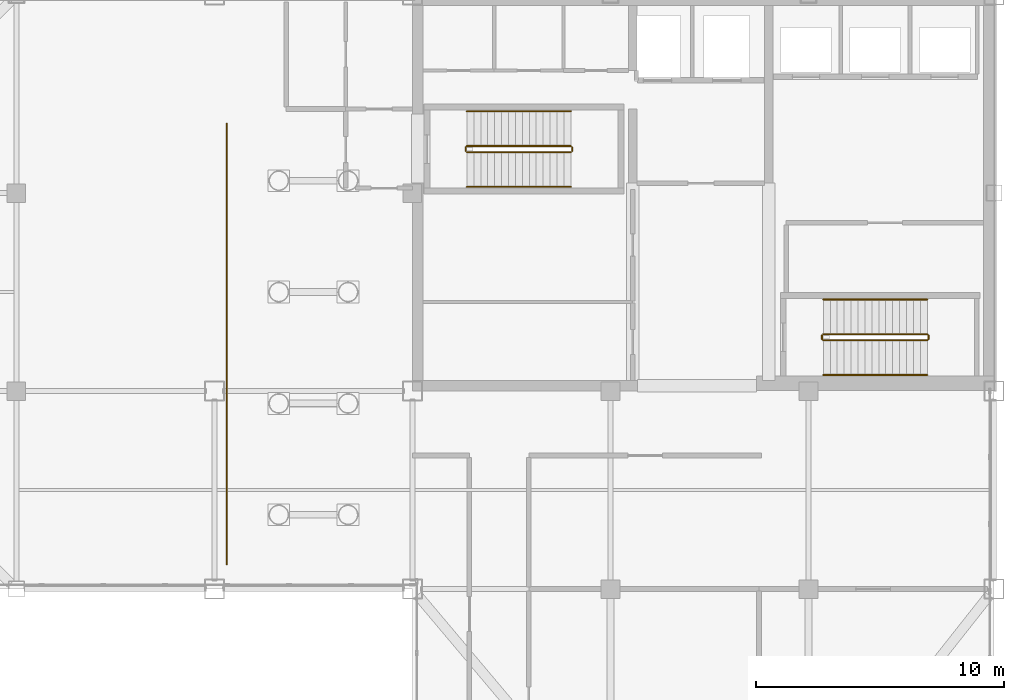
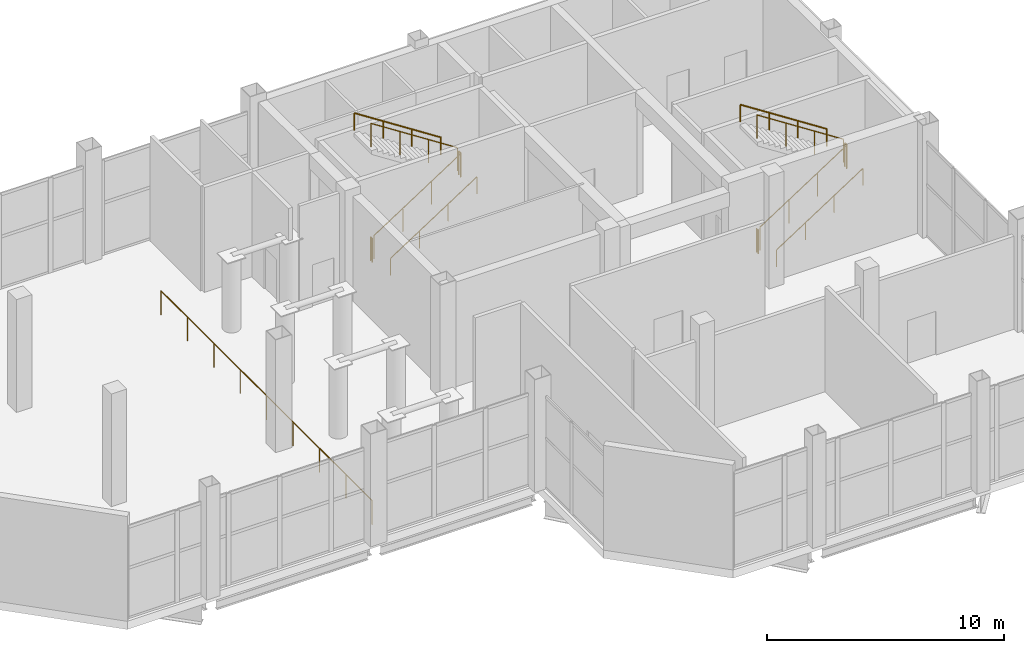
# One storey, part 17 of 18: 13 railings.
"""IFC4 building model written with IfcOpenShell, lengths in metres."""

from ifc_helpers import new_model, si_unit, direction, frame, origin, origin_2d, place, context, subcontext, project, spatial, circle, extrude, material, type_object, element, save


model = new_model("IFC4")

# Units and contexts
model_context = context("Model", 3, precision=1e-05, world=origin(), true_north=direction((0.0, 1.0)))
body_context = subcontext(model_context, "Body", "Model", "MODEL_VIEW")
ifc_project = project(units=[si_unit("LENGTHUNIT", "METRE"), si_unit("AREAUNIT", "SQUARE_METRE"), si_unit("VOLUMEUNIT", "CUBIC_METRE"), si_unit("PLANEANGLEUNIT", "RADIAN"), si_unit("MASSUNIT", "GRAM", prefix="KILO")], contexts=[model_context])

# Site, building, storey
site_placement = place(None, origin())
site = spatial("IfcSite", under=ifc_project, at=site_placement, CompositionType="ELEMENT")
building_placement = place(site_placement, origin())
building = spatial("IfcBuilding", under=site, at=building_placement, Name="Qianrong Seaharbour Tower", CompositionType="ELEMENT")
storey_placement = place(building_placement, frame((0.0, 0.0, 367.199951171875)))
storey = spatial("IfcBuildingStorey", under=building, at=storey_placement, Name="L89", CompositionType="ELEMENT", Elevation=367.199951171875)

# Railings
ifc_material_1 = material(Name="Galvanized painted steel SN400B stair guard", Category="steel")
railing_type_1 = type_object("IfcRailingType", Name="RAIL-STAIR-GUARD-1220", PredefinedType="GUARDRAIL", material=ifc_material_1)
railing_1_placement = place(storey_placement, frame((42.699951171875, 45.64990234375, 0.181396484375)))
element("IfcRailing", 1, at=railing_1_placement, inside=storey, type_object=railing_type_1, Name="L89 ST-1 stair guard 1", PredefinedType="GUARDRAIL", context=body_context, shape_type="SweptSolid", body=[
    extrude(circle(Radius=0.02392578125, at=origin_2d()), frame((0.0, 0.0, 1.19580078125), z_axis=(0.839466714631, 0.0, 0.543411110511), x_axis=(0.0, 1.0, 0.0)), (0.0, 0.0, 1.0), 5.003173828125),
    extrude(circle(Radius=0.02099609375, at=origin_2d()), origin(), (0.0, 0.0, 1.0), 1.171875),
    extrude(circle(Radius=0.02099609375, at=origin_2d()), frame((1.39990234375, 0.0, 0.90625)), (0.0, 0.0, 1.0), 1.171875),
    extrude(circle(Radius=0.02099609375, at=origin_2d()), frame((2.800048828125, 0.0, 1.8125)), (0.0, 0.0, 1.0), 1.171875),
    extrude(circle(Radius=0.02099609375, at=origin_2d()), frame((4.199951171875, 0.0, 2.71875)), (0.0, 0.0, 1.0), 1.171875),
])
railing_2_placement = place(storey_placement, frame((46.949951171875, 45.699951171875, 2.900146484375)))
element("IfcRailing", 2, at=railing_2_placement, inside=storey, type_object=railing_type_1, Name="L89 ST-1 stair guard 2", PredefinedType="GUARDRAIL", context=body_context, shape_type="SweptSolid", body=[
    extrude(circle(Radius=0.02392578125, at=origin_2d()), frame((0.0, 0.0, 1.19580078125), z_axis=(0.0, 1.0, 0.0), x_axis=(-1.0, 0.0, 0.0)), (0.0, 0.0, 1.0), 0.150146484375),
    extrude(circle(Radius=0.02099609375, at=origin_2d()), origin(), (0.0, 0.0, 1.0), 1.171875),
    extrude(circle(Radius=0.02099609375, at=origin_2d()), frame((0.0, 0.150146484375, 0.0)), (0.0, 0.0, 1.0), 1.171875),
])
railing_3_placement = place(storey_placement, frame((46.89990234375, 45.89990234375, 3.081298828125)))
element("IfcRailing", 3, at=railing_3_placement, inside=storey, type_object=railing_type_1, Name="L89 ST-1 stair guard 3", PredefinedType="GUARDRAIL", context=body_context, shape_type="SweptSolid", body=[
    extrude(circle(Radius=0.02392578125, at=origin_2d()), frame((0.0, 0.0, 1.19580078125), z_axis=(-0.839466714631, 0.0, 0.543411110511), x_axis=(0.0, -1.0, 0.0)), (0.0, 0.0, 1.0), 5.003173828125),
    extrude(circle(Radius=0.02099609375, at=origin_2d()), origin(), (0.0, 0.0, 1.0), 1.171875),
    extrude(circle(Radius=0.02099609375, at=origin_2d()), frame((-1.39990234375, 0.0, 0.90625)), (0.0, 0.0, 1.0), 1.171875),
    extrude(circle(Radius=0.02099609375, at=origin_2d()), frame((-2.800048828125, 0.0, 1.8125)), (0.0, 0.0, 1.0), 1.171875),
    extrude(circle(Radius=0.02099609375, at=origin_2d()), frame((-4.199951171875, 0.0, 2.71875)), (0.0, 0.0, 1.0), 1.171875),
])
railing_4_placement = place(storey_placement, frame((42.64990234375, 45.699951171875, 0.0)))
element("IfcRailing", 4, at=railing_4_placement, inside=storey, type_object=railing_type_1, Name="L89 ST-1 stair guard 4", PredefinedType="GUARDRAIL", context=body_context, shape_type="SweptSolid", body=[
    extrude(circle(Radius=0.02392578125, at=origin_2d()), frame((0.0, 0.0, 1.19580078125), z_axis=(0.0, 1.0, 0.0), x_axis=(-1.0, 0.0, 0.0)), (0.0, 0.0, 1.0), 0.150146484375),
    extrude(circle(Radius=0.02099609375, at=origin_2d()), origin(), (0.0, 0.0, 1.0), 1.171875),
    extrude(circle(Radius=0.02099609375, at=origin_2d()), frame((0.0, 0.150146484375, 0.0)), (0.0, 0.0, 1.0), 1.171875),
])
railing_5_placement = place(storey_placement, frame((57.10009765625, 38.050048828125, 0.181396484375)))
element("IfcRailing", 5, at=railing_5_placement, inside=storey, type_object=railing_type_1, Name="L89 ST-2 stair guard 1", PredefinedType="GUARDRAIL", context=body_context, shape_type="SweptSolid", body=[
    extrude(circle(Radius=0.02392578125, at=origin_2d()), frame((0.0, 0.0, 1.19580078125), z_axis=(0.839466714631, 0.0, 0.543411110511), x_axis=(0.0, 1.0, 0.0)), (0.0, 0.0, 1.0), 5.003173828125),
    extrude(circle(Radius=0.02099609375, at=origin_2d()), origin(), (0.0, 0.0, 1.0), 1.171875),
    extrude(circle(Radius=0.02099609375, at=origin_2d()), frame((1.39990234375, 0.0, 0.90625)), (0.0, 0.0, 1.0), 1.171875),
    extrude(circle(Radius=0.02099609375, at=origin_2d()), frame((2.800048828125, 0.0, 1.8125)), (0.0, 0.0, 1.0), 1.171875),
    extrude(circle(Radius=0.02099609375, at=origin_2d()), frame((4.199951171875, 0.0, 2.71875)), (0.0, 0.0, 1.0), 1.171875),
])
railing_6_placement = place(storey_placement, frame((61.35009765625, 38.10009765625, 2.900146484375)))
element("IfcRailing", 6, at=railing_6_placement, inside=storey, type_object=railing_type_1, Name="L89 ST-2 stair guard 2", PredefinedType="GUARDRAIL", context=body_context, shape_type="SweptSolid", body=[
    extrude(circle(Radius=0.02392578125, at=origin_2d()), frame((0.0, 0.0, 1.19580078125), z_axis=(0.0, 1.0, 0.0), x_axis=(-1.0, 0.0, 0.0)), (0.0, 0.0, 1.0), 0.14990234375),
    extrude(circle(Radius=0.02099609375, at=origin_2d()), origin(), (0.0, 0.0, 1.0), 1.171875),
    extrude(circle(Radius=0.02099609375, at=origin_2d()), frame((0.0, 0.14990234375, 0.0)), (0.0, 0.0, 1.0), 1.171875),
])
railing_7_placement = place(storey_placement, frame((61.300048828125, 38.300048828125, 3.081298828125)))
element("IfcRailing", 7, at=railing_7_placement, inside=storey, type_object=railing_type_1, Name="L89 ST-2 stair guard 3", PredefinedType="GUARDRAIL", context=body_context, shape_type="SweptSolid", body=[
    extrude(circle(Radius=0.02392578125, at=origin_2d()), frame((0.0, 0.0, 1.19580078125), z_axis=(-0.839466714631, 0.0, 0.543411110511), x_axis=(0.0, -1.0, 0.0)), (0.0, 0.0, 1.0), 5.003173828125),
    extrude(circle(Radius=0.02099609375, at=origin_2d()), origin(), (0.0, 0.0, 1.0), 1.171875),
    extrude(circle(Radius=0.02099609375, at=origin_2d()), frame((-1.39990234375, 0.0, 0.90625)), (0.0, 0.0, 1.0), 1.171875),
    extrude(circle(Radius=0.02099609375, at=origin_2d()), frame((-2.800048828125, 0.0, 1.8125)), (0.0, 0.0, 1.0), 1.171875),
    extrude(circle(Radius=0.02099609375, at=origin_2d()), frame((-4.199951171875, 0.0, 2.71875)), (0.0, 0.0, 1.0), 1.171875),
])
railing_8_placement = place(storey_placement, frame((57.050048828125, 38.10009765625, 0.0)))
element("IfcRailing", 8, at=railing_8_placement, inside=storey, type_object=railing_type_1, Name="L89 ST-2 stair guard 4", PredefinedType="GUARDRAIL", context=body_context, shape_type="SweptSolid", body=[
    extrude(circle(Radius=0.02392578125, at=origin_2d()), frame((0.0, 0.0, 1.19580078125), z_axis=(0.0, 1.0, 0.0), x_axis=(-1.0, 0.0, 0.0)), (0.0, 0.0, 1.0), 0.14990234375),
    extrude(circle(Radius=0.02099609375, at=origin_2d()), origin(), (0.0, 0.0, 1.0), 1.171875),
    extrude(circle(Radius=0.02099609375, at=origin_2d()), frame((0.0, 0.14990234375, 0.0)), (0.0, 0.0, 1.0), 1.171875),
])
ifc_material_2 = material(Name="Stainless steel SUS316L continuous handrail", Category="steel")
railing_type_2 = type_object("IfcRailingType", Name="RAIL-STAIR-HANDRAIL-900", PredefinedType="HANDRAIL", material=ifc_material_2)
railing_9_placement = place(storey_placement, frame((42.699951171875, 44.25, 0.181396484375)))
element("IfcRailing", 9, at=railing_9_placement, inside=storey, type_object=railing_type_2, Name="L89 ST-1 stair handrail 1", PredefinedType="HANDRAIL", context=body_context, shape_type="SweptSolid", body=[
    extrude(circle(Radius=0.02392578125, at=origin_2d()), frame((0.0, 0.0, 0.8759765625), z_axis=(0.839466714631, 0.0, 0.543411110511), x_axis=(0.0, 1.0, 0.0)), (0.0, 0.0, 1.0), 5.003173828125),
    extrude(circle(Radius=0.02099609375, at=origin_2d()), origin(), (0.0, 0.0, 1.0), 0.851806640625),
    extrude(circle(Radius=0.02099609375, at=origin_2d()), frame((1.39990234375, 0.0, 0.90625)), (0.0, 0.0, 1.0), 0.851806640625),
    extrude(circle(Radius=0.02099609375, at=origin_2d()), frame((2.800048828125, 0.0, 1.8125)), (0.0, 0.0, 1.0), 0.851806640625),
    extrude(circle(Radius=0.02099609375, at=origin_2d()), frame((4.199951171875, 0.0, 2.71875)), (0.0, 0.0, 1.0), 0.851806640625),
])
railing_10_placement = place(storey_placement, frame((46.89990234375, 47.300048828125, 3.081298828125)))
element("IfcRailing", 10, at=railing_10_placement, inside=storey, type_object=railing_type_2, Name="L89 ST-1 stair handrail 2", PredefinedType="HANDRAIL", context=body_context, shape_type="SweptSolid", body=[
    extrude(circle(Radius=0.02392578125, at=origin_2d()), frame((0.0, 0.0, 0.8759765625), z_axis=(-0.839466714631, 0.0, 0.543411110511), x_axis=(0.0, -1.0, 0.0)), (0.0, 0.0, 1.0), 5.003173828125),
    extrude(circle(Radius=0.02099609375, at=origin_2d()), origin(), (0.0, 0.0, 1.0), 0.851806640625),
    extrude(circle(Radius=0.02099609375, at=origin_2d()), frame((-1.39990234375, 0.0, 0.90625)), (0.0, 0.0, 1.0), 0.851806640625),
    extrude(circle(Radius=0.02099609375, at=origin_2d()), frame((-2.800048828125, 0.0, 1.8125)), (0.0, 0.0, 1.0), 0.851806640625),
    extrude(circle(Radius=0.02099609375, at=origin_2d()), frame((-4.199951171875, 0.0, 2.71875)), (0.0, 0.0, 1.0), 0.851806640625),
])
railing_11_placement = place(storey_placement, frame((57.10009765625, 36.64990234375, 0.181396484375)))
element("IfcRailing", 11, at=railing_11_placement, inside=storey, type_object=railing_type_2, Name="L89 ST-2 stair handrail 1", PredefinedType="HANDRAIL", context=body_context, shape_type="SweptSolid", body=[
    extrude(circle(Radius=0.02392578125, at=origin_2d()), frame((0.0, 0.0, 0.8759765625), z_axis=(0.839466714631, 0.0, 0.543411110511), x_axis=(0.0, 1.0, 0.0)), (0.0, 0.0, 1.0), 5.003173828125),
    extrude(circle(Radius=0.02099609375, at=origin_2d()), origin(), (0.0, 0.0, 1.0), 0.851806640625),
    extrude(circle(Radius=0.02099609375, at=origin_2d()), frame((1.39990234375, 0.0, 0.90625)), (0.0, 0.0, 1.0), 0.851806640625),
    extrude(circle(Radius=0.02099609375, at=origin_2d()), frame((2.800048828125, 0.0, 1.8125)), (0.0, 0.0, 1.0), 0.851806640625),
    extrude(circle(Radius=0.02099609375, at=origin_2d()), frame((4.199951171875, 0.0, 2.71875)), (0.0, 0.0, 1.0), 0.851806640625),
])
railing_12_placement = place(storey_placement, frame((61.300048828125, 39.699951171875, 3.081298828125)))
element("IfcRailing", 12, at=railing_12_placement, inside=storey, type_object=railing_type_2, Name="L89 ST-2 stair handrail 2", PredefinedType="HANDRAIL", context=body_context, shape_type="SweptSolid", body=[
    extrude(circle(Radius=0.02392578125, at=origin_2d()), frame((0.0, 0.0, 0.8759765625), z_axis=(-0.839466714631, 0.0, 0.543411110511), x_axis=(0.0, -1.0, 0.0)), (0.0, 0.0, 1.0), 5.003173828125),
    extrude(circle(Radius=0.02099609375, at=origin_2d()), origin(), (0.0, 0.0, 1.0), 0.851806640625),
    extrude(circle(Radius=0.02099609375, at=origin_2d()), frame((-1.39990234375, 0.0, 0.90625)), (0.0, 0.0, 1.0), 0.851806640625),
    extrude(circle(Radius=0.02099609375, at=origin_2d()), frame((-2.800048828125, 0.0, 1.8125)), (0.0, 0.0, 1.0), 0.851806640625),
    extrude(circle(Radius=0.02099609375, at=origin_2d()), frame((-4.199951171875, 0.0, 2.71875)), (0.0, 0.0, 1.0), 0.851806640625),
])
ifc_material_3 = material(Name="Stainless steel SUS316L storm safety guard", Category="steel")
railing_type_3 = type_object("IfcRailingType", Name="RAIL-TURBINE-GUARD-1250", PredefinedType="GUARDRAIL", material=ifc_material_3)
railing_13_placement = place(storey_placement, frame((33.0, 29.0, 0.0)))
element("IfcRailing", 13, at=railing_13_placement, inside=storey, type_object=railing_type_3, Name="L89 Wind Turbine Maintenance Gallery Safety Guard", PredefinedType="GUARDRAIL", context=body_context, shape_type="SweptSolid", body=[
    extrude(circle(Radius=0.02392578125, at=origin_2d()), frame((0.0, 0.0, 1.22607421875), z_axis=(0.0, 1.0, 0.0), x_axis=(-1.0, 0.0, 0.0)), (0.0, 0.0, 1.0), 17.800048828125),
    extrude(circle(Radius=0.02099609375, at=origin_2d()), origin(), (0.0, 0.0, 1.0), 1.201904296875),
    extrude(circle(Radius=0.02099609375, at=origin_2d()), frame((0.0, 2.22509765625, 0.0)), (0.0, 0.0, 1.0), 1.201904296875),
    extrude(circle(Radius=0.02099609375, at=origin_2d()), frame((0.0, 4.449951171875, 0.0)), (0.0, 0.0, 1.0), 1.201904296875),
    extrude(circle(Radius=0.02099609375, at=origin_2d()), frame((0.0, 6.675048828125, 0.0)), (0.0, 0.0, 1.0), 1.201904296875),
    extrude(circle(Radius=0.02099609375, at=origin_2d()), frame((0.0, 8.89990234375, 0.0)), (0.0, 0.0, 1.0), 1.201904296875),
    extrude(circle(Radius=0.02099609375, at=origin_2d()), frame((0.0, 11.125, 0.0)), (0.0, 0.0, 1.0), 1.201904296875),
    extrude(circle(Radius=0.02099609375, at=origin_2d()), frame((0.0, 13.35009765625, 0.0)), (0.0, 0.0, 1.0), 1.201904296875),
    extrude(circle(Radius=0.02099609375, at=origin_2d()), frame((0.0, 15.574951171875, 0.0)), (0.0, 0.0, 1.0), 1.201904296875),
    extrude(circle(Radius=0.02099609375, at=origin_2d()), frame((0.0, 17.800048828125, 0.0)), (0.0, 0.0, 1.0), 1.201904296875),
])

save(model, "model.ifc")
